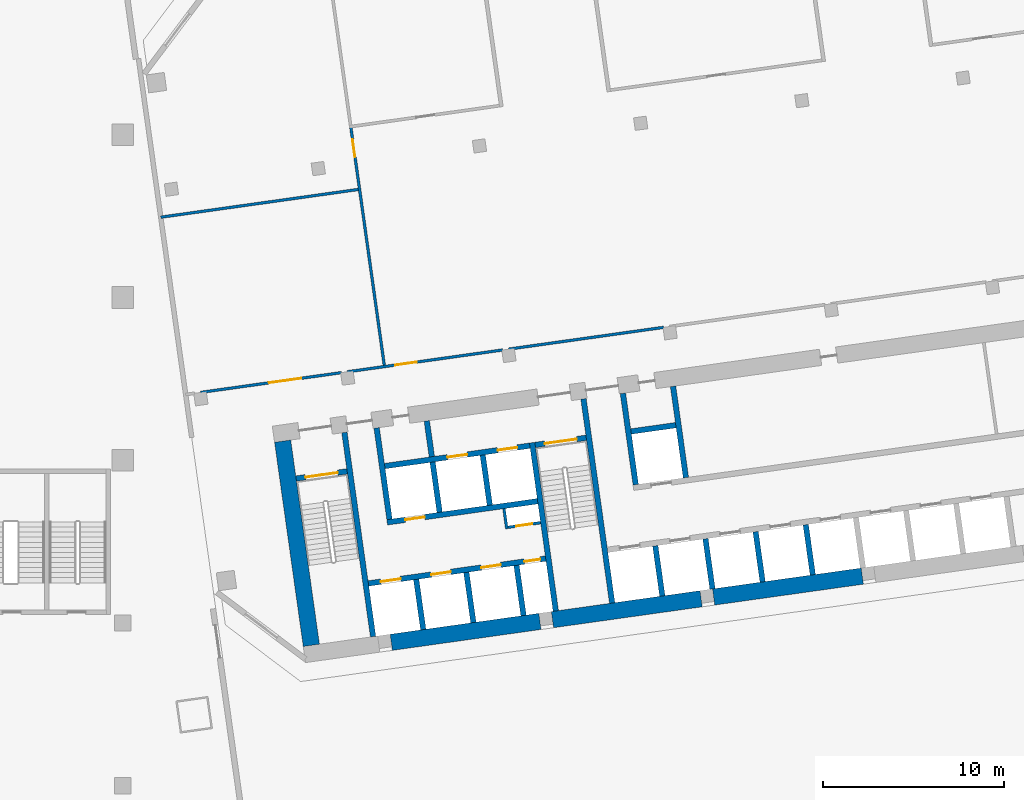
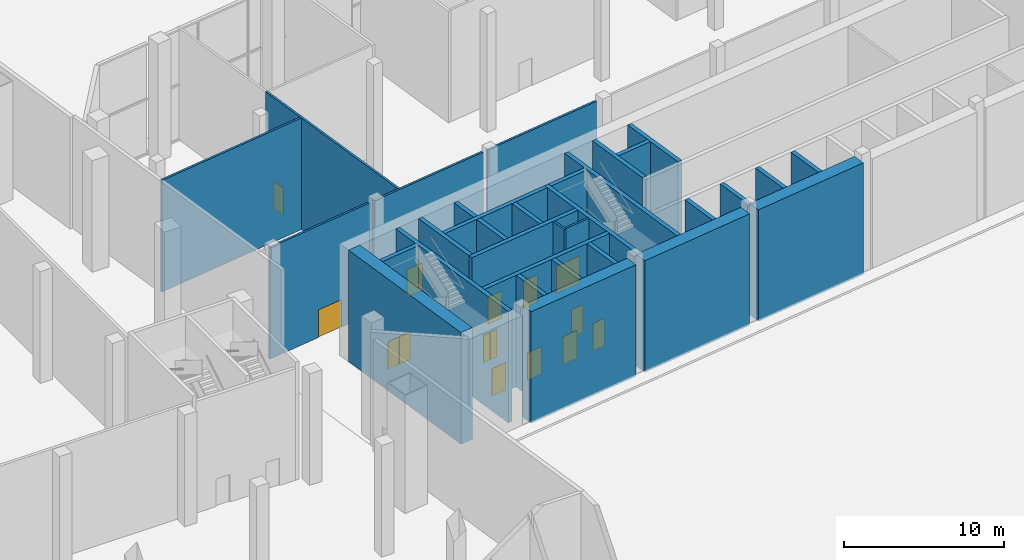
# One storey, part 24 of 34: 33 walls, 13 doors, 13 openings.
"""IFC4 building model written with IfcOpenShell, lengths in metres."""

from ifc_helpers import new_model, si_unit, direction, frame, frame_2d, origin, place, context, subcontext, project, spatial, rectangle, extrude, material, layer, layer_set, type_object, element, fill, save


model = new_model("IFC4")

# Units and contexts
model_context = context("Model", 3, precision=1e-05, world=origin(), true_north=direction((0.0, 1.0)))
body_context = subcontext(model_context, "Body", "Model", "MODEL_VIEW")
ifc_project = project(units=[si_unit("LENGTHUNIT", "METRE"), si_unit("AREAUNIT", "SQUARE_METRE"), si_unit("VOLUMEUNIT", "CUBIC_METRE"), si_unit("PLANEANGLEUNIT", "RADIAN"), si_unit("MASSUNIT", "GRAM", prefix="KILO")], contexts=[model_context])

# Site, building, storey
site_placement = place(None, origin())
site = spatial("IfcSite", under=ifc_project, at=site_placement, CompositionType="ELEMENT")
building_placement = place(site_placement, origin())
building = spatial("IfcBuilding", under=site, at=building_placement, Name="Mirante Cascada Hotel Towers", CompositionType="ELEMENT")
storey_placement = place(building_placement, origin())
storey = spatial("IfcBuildingStorey", under=building, at=storey_placement, Name="L00", CompositionType="ELEMENT", Elevation=0.0)

# Wall
ifc_material_1 = material(Name="Masonry block", Category="masonry")
ifc_layer_1 = layer(ifc_material_1, 0.15)
ifc_layer_set_1 = layer_set([ifc_layer_1], Name="Core room partition 150 block EI 30")
wall_type_1 = type_object("IfcWallType", Name="Core room partition 150 block EI 30", PredefinedType="PARTITIONING", material=ifc_layer_set_1)
wall_1_placement = place(storey_placement, frame((48.2295, -12.793, 0.0), z_axis=(0.0, 0.0, 1.0), x_axis=(-0.1391935, 0.9902652, 0.0)))
element("IfcWall", 1, at=wall_1_placement, inside=storey, type_object=wall_type_1, Name="Core wall partition T2 L00 2", PredefinedType="PARTITIONING", context=body_context, shape_type="SweptSolid", body=[
    extrude(rectangle(XDim=1.1251, YDim=0.15, at=frame_2d((0.5626, 0.0))), origin(), (0.0, 0.0, 1.0), 8.5),
])

# Wall, opening, door
wall_2_placement = place(storey_placement, frame((48.2933, -12.7083, 0.0), z_axis=(0.0, 0.0, 1.0), x_axis=(0.990268, 0.1391734, 0.0)))
wall_2 = element("IfcWall", 2, at=wall_2_placement, inside=storey, type_object=wall_type_1, Name="Core wall partition T2 L00 3", PredefinedType="PARTITIONING", context=body_context, shape_type="SweptSolid", body=[
    extrude(rectangle(XDim=1.8251, YDim=0.15, at=frame_2d((0.9126, 0.0))), origin(), (0.0, 0.0, 1.0), 8.5),
])
opening_1_placement = place(wall_2_placement, frame((0.4625, 0.0, 0.0)))
opening_1 = element("IfcOpeningElement", 3, at=opening_1_placement, cuts=wall_2, Name="Opening D2-00-C26", PredefinedType="OPENING", context=body_context, shape_type="SweptSolid", body=[
    extrude(rectangle(XDim=0.9, YDim=2.1, at=frame_2d((0.45, 1.05))), frame((0.0, 0.075, 0.0), z_axis=(0.0, -1.0, 0.0), x_axis=(1.0, 0.0, 0.0)), (0.0, 0.0, 1.0), 0.15),
])
ifc_material_2 = material(Name="Hollow metal fire door leaf")
door_type_1 = type_object("IfcDoorType", Name="Fire door 900x2100 FD60", OperationType="NOTDEFINED", PredefinedType="DOOR", material=ifc_material_2)
door_1_placement = place(opening_1_placement, frame((0.9, 0.0, 0.0), z_axis=(0.0, 0.0, 1.0), x_axis=(-1.0, 0.0, 0.0)))
door_1 = element("IfcDoor", 4, at=door_1_placement, inside=storey, type_object=door_type_1, Name="Riser door T2 L00 26", OperationType="SINGLE_SWING_LEFT", OverallHeight=2.1, OverallWidth=0.9, PredefinedType="DOOR", context=body_context, shape_type="SweptSolid", body=[
    extrude(rectangle(XDim=0.9, YDim=2.1, at=frame_2d((0.45, 1.05))), frame((0.0, 0.025, 0.0), z_axis=(0.0, -1.0, 0.0), x_axis=(1.0, 0.0, 0.0)), (0.0, 0.0, 1.0), 0.05),
])
fill(opening_1, door_1)

# Wall
ifc_material_3 = material(Name="Masonry block", Category="masonry")
ifc_layer_2 = layer(ifc_material_3, 0.3)
ifc_layer_set_2 = layer_set([ifc_layer_2], Name="Core wall 300 block EI 120")
wall_type_2 = type_object("IfcWallType", Name="Core wall 300 block EI 120", PredefinedType="PARTITIONING", material=ifc_layer_set_2)
wall_3_placement = place(storey_placement, frame((44.0843, -8.8061, 0.0), z_axis=(0.0, 0.0, 1.0), x_axis=(-0.1391951, 0.990265, 0.0)))
element("IfcWall", 5, at=wall_3_placement, inside=storey, type_object=wall_type_2, Name="Core wall partition T2 L00 1", PredefinedType="PARTITIONING", context=body_context, shape_type="SweptSolid", body=[
    extrude(rectangle(XDim=2.0001, YDim=0.3, at=frame_2d((1.0001, 0.0))), origin(), (0.0, 0.0, 1.0), 8.5),
])

# Wall, opening, door
ifc_material_4 = material(Name="Masonry block", Category="masonry")
ifc_layer_3 = layer(ifc_material_4, 0.15)
ifc_layer_set_3 = layer_set([ifc_layer_3], Name="Corridor wall 150 block")
wall_type_3 = type_object("IfcWallType", Name="Corridor wall 150 block", PredefinedType="PARTITIONING", material=ifc_layer_set_3)
wall_4_placement = place(storey_placement, frame((39.5898, 9.5218, 0.0), z_axis=(0.0, 0.0, 1.0), x_axis=(0.1391716, -0.9902683, 0.0)))
wall_4 = element("IfcWall", 6, at=wall_4_placement, inside=storey, type_object=wall_type_3, Name="Corridor wall T2 L00", PredefinedType="PARTITIONING", context=body_context, shape_type="SweptSolid", body=[
    extrude(rectangle(XDim=13.4, YDim=0.15, at=frame_2d((6.7, 0.0))), origin(), (0.0, 0.0, 1.0), 8.5),
])
opening_2_placement = place(wall_4_placement, frame((0.775, 0.0, 0.0)))
opening_2 = element("IfcOpeningElement", 7, at=opening_2_placement, cuts=wall_4, Name="Opening DP2-L00-04", PredefinedType="OPENING", context=body_context, shape_type="SweptSolid", body=[
    extrude(rectangle(XDim=1.0, YDim=2.1, at=frame_2d((0.5, 1.05))), frame((0.0, 0.075, 0.0), z_axis=(0.0, -1.0, 0.0), x_axis=(1.0, 0.0, 0.0)), (0.0, 0.0, 1.0), 0.15),
])
ifc_material_5 = material(Name="Timber door leaf", Category="wood")
door_type_2 = type_object("IfcDoorType", Name="Single door 1000x2100", OperationType="NOTDEFINED", PredefinedType="DOOR", material=ifc_material_5)
door_2_placement = place(opening_2_placement, frame((1.0, 0.0, 0.0), z_axis=(0.0, 0.0, 1.0), x_axis=(-1.0, 0.0, 0.0)))
door_2 = element("IfcDoor", 8, at=door_2_placement, inside=storey, type_object=door_type_2, Name="Door DP2-L00-04", OperationType="SINGLE_SWING_RIGHT", OverallHeight=2.1, OverallWidth=1.0, PredefinedType="DOOR", context=body_context, shape_type="SweptSolid", body=[
    extrude(rectangle(XDim=1.0, YDim=2.1, at=frame_2d((0.5, 1.05))), frame((0.0, 0.025, 0.0), z_axis=(0.0, -1.0, 0.0), x_axis=(1.0, 0.0, 0.0)), (0.0, 0.0, 1.0), 0.05),
])
fill(opening_2, door_2)

ifc_material_6 = material(Name="Masonry block", Category="masonry")
ifc_layer_4 = layer(ifc_material_6, 0.15)
ifc_layer_set_4 = layer_set([ifc_layer_4], Name="Exit passage wall 150 block EI 120")
wall_type_4 = type_object("IfcWallType", Name="Exit passage wall 150 block EI 120", PredefinedType="PARTITIONING", material=ifc_layer_set_4)
wall_5_placement = place(storey_placement, frame((31.2896, -5.2522, 0.0), z_axis=(0.0, 0.0, 1.0), x_axis=(0.9902676, 0.1391764, 0.0)))
wall_5 = element("IfcWall", 9, at=wall_5_placement, inside=storey, type_object=wall_type_4, Name="Exit passage wall T2 L00", PredefinedType="PARTITIONING", context=body_context, shape_type="SweptSolid", body=[
    extrude(rectangle(XDim=7.8713, YDim=0.15, at=frame_2d((3.9356, 0.0))), origin(), (0.0, 0.0, 1.0), 8.5),
])
opening_3_placement = place(wall_5_placement, frame((3.8255, 0.0, 0.0)))
opening_3 = element("IfcOpeningElement", 10, at=opening_3_placement, cuts=wall_5, Name="Opening DP2-L00-03", PredefinedType="OPENING", context=body_context, shape_type="SweptSolid", body=[
    extrude(rectangle(XDim=1.8, YDim=2.1, at=frame_2d((0.9, 1.05))), frame((0.0, 0.075, 0.0), z_axis=(0.0, -1.0, 0.0), x_axis=(1.0, 0.0, 0.0)), (0.0, 0.0, 1.0), 0.15),
])
ifc_material_7 = material(Name="Hollow metal fire door leaf")
door_type_3 = type_object("IfcDoorType", Name="Double door 1800x2100 FD60", OperationType="DOUBLE_DOOR_SINGLE_SWING", PredefinedType="DOOR", material=ifc_material_7)
door_3_placement = place(opening_3_placement, origin())
door_3 = element("IfcDoor", 11, at=door_3_placement, inside=storey, type_object=door_type_3, Name="Door DP2-L00-03", OperationType="DOUBLE_DOOR_SINGLE_SWING", OverallHeight=2.1, OverallWidth=1.8, PredefinedType="DOOR", context=body_context, shape_type="SweptSolid", body=[
    extrude(rectangle(XDim=0.895, YDim=2.1, at=frame_2d((0.4475, 1.05))), frame((0.0, 0.025, 0.0), z_axis=(0.0, -1.0, 0.0), x_axis=(1.0, 0.0, 0.0)), (0.0, 0.0, 1.0), 0.05),
    extrude(rectangle(XDim=0.895, YDim=2.1, at=frame_2d((1.3525, 1.05))), frame((0.0, 0.025, 0.0), z_axis=(0.0, -1.0, 0.0), x_axis=(1.0, 0.0, 0.0)), (0.0, 0.0, 1.0), 0.05),
])
fill(opening_3, door_3)

wall_6_placement = place(storey_placement, frame((39.4099, -4.1109, 0.0), z_axis=(0.0, 0.0, 1.0), x_axis=(0.990268, 0.1391735, 0.0)))
wall_6 = element("IfcWall", 12, at=wall_6_placement, inside=storey, type_object=wall_type_4, Name="Exit passage wall T2 L00", PredefinedType="PARTITIONING", context=body_context, shape_type="SweptSolid", body=[
    extrude(rectangle(XDim=8.6712, YDim=0.15, at=frame_2d((4.3356, 0.0))), origin(), (0.0, 0.0, 1.0), 8.5),
])
opening_4_placement = place(wall_6_placement, frame((2.6755, 0.0, 0.0)))
opening_4 = element("IfcOpeningElement", 13, at=opening_4_placement, cuts=wall_6, Name="Opening DP2-L00-01", PredefinedType="OPENING", context=body_context, shape_type="SweptSolid", body=[
    extrude(rectangle(XDim=1.2, YDim=2.1, at=frame_2d((0.6, 1.05))), frame((0.0, 0.075, 0.0), z_axis=(0.0, -1.0, 0.0), x_axis=(1.0, 0.0, 0.0)), (0.0, 0.0, 1.0), 0.15),
])
ifc_material_8 = material(Name="Hollow metal fire door leaf")
door_type_4 = type_object("IfcDoorType", Name="Fire door 1200x2100 FD60", OperationType="NOTDEFINED", PredefinedType="DOOR", material=ifc_material_8)
door_4_placement = place(opening_4_placement, frame((1.2, 0.0, 0.0), z_axis=(0.0, 0.0, 1.0), x_axis=(-1.0, 0.0, 0.0)))
door_4 = element("IfcDoor", 14, at=door_4_placement, inside=storey, type_object=door_type_4, Name="Door DP2-L00-01", OperationType="SINGLE_SWING_LEFT", OverallHeight=2.1, OverallWidth=1.2, PredefinedType="DOOR", context=body_context, shape_type="SweptSolid", body=[
    extrude(rectangle(XDim=1.2, YDim=2.1, at=frame_2d((0.6, 1.05))), frame((0.0, 0.025, 0.0), z_axis=(0.0, -1.0, 0.0), x_axis=(1.0, 0.0, 0.0)), (0.0, 0.0, 1.0), 0.05),
])
fill(opening_4, door_4)

# Walls
wall_7_placement = place(storey_placement, frame((48.3223, -2.8584, 0.0), z_axis=(0.0, 0.0, 1.0), x_axis=(0.990268, 0.1391735, 0.0)))
element("IfcWall", 15, at=wall_7_placement, inside=storey, type_object=wall_type_4, Name="Exit passage wall T2 L00", PredefinedType="PARTITIONING", context=body_context, shape_type="SweptSolid", body=[
    extrude(rectangle(XDim=8.6712, YDim=0.15, at=frame_2d((4.3356, 0.0))), origin(), (0.0, 0.0, 1.0), 8.5),
])
ifc_material_9 = material(Name="Masonry block", Category="masonry")
ifc_layer_5 = layer(ifc_material_9, 0.15)
ifc_layer_set_5 = layer_set([ifc_layer_5], Name="Partition 150 block")
wall_type_5 = type_object("IfcWallType", Name="Partition 150 block", PredefinedType="PARTITIONING", material=ifc_layer_set_5)
wall_8_placement = place(storey_placement, frame((29.0954, 4.4367, 0.0), z_axis=(0.0, 0.0, 1.0), x_axis=(0.9902679, 0.1391746, 0.0)))
element("IfcWall", 16, at=wall_8_placement, inside=storey, type_object=wall_type_5, Name="Partition T2 L00", PredefinedType="PARTITIONING", context=body_context, shape_type="SweptSolid", body=[
    extrude(rectangle(XDim=11.025, YDim=0.15, at=frame_2d((5.5125, 0.0))), origin(), (0.0, 0.0, 1.0), 8.5),
])
ifc_material_10 = material(Name="Concrete C50/60", Category="concrete")
ifc_layer_6 = layer(ifc_material_10, 0.3)
ifc_layer_set_6 = layer_set([ifc_layer_6], Name="RC core wall 300 C50/60")
wall_type_6 = type_object("IfcWallType", Name="RC core wall 300 C50/60", PredefinedType="SHEAR", material=ifc_layer_set_6)
wall_9_placement = place(storey_placement, frame((40.8373, -18.7548, 0.0), z_axis=(0.0, 0.0, 1.0), x_axis=(-0.1391749, 0.9902678, 0.0)))
element("IfcWall", 17, at=wall_9_placement, inside=storey, type_object=wall_type_6, Name="Core wall T2:L00:5", PredefinedType="SHEAR", context=body_context, shape_type="SweptSolid", body=[
    extrude(rectangle(XDim=11.4, YDim=0.3, at=frame_2d((5.7, 0.0))), origin(), (0.0, 0.0, 1.0), 8.5),
])
wall_10_placement = place(storey_placement, frame((50.938, -17.3352, 0.0), z_axis=(0.0, 0.0, 1.0), x_axis=(-0.1391706, 0.9902684, 0.0)))
element("IfcWall", 18, at=wall_10_placement, inside=storey, type_object=wall_type_6, Name="Core wall T2:L00:6", PredefinedType="SHEAR", context=body_context, shape_type="SweptSolid", body=[
    extrude(rectangle(XDim=9.4, YDim=0.3, at=frame_2d((4.7, 0.0))), origin(), (0.0, 0.0, 1.0), 8.5),
])
wall_11_placement = place(storey_placement, frame((54.0574, -16.8968, 0.0), z_axis=(0.0, 0.0, 1.0), x_axis=(-0.1391761, 0.9902677, 0.0)))
element("IfcWall", 19, at=wall_11_placement, inside=storey, type_object=wall_type_6, Name="Core wall T2:L00:7", PredefinedType="SHEAR", context=body_context, shape_type="SweptSolid", body=[
    extrude(rectangle(XDim=11.3999, YDim=0.3, at=frame_2d((5.7, 0.0))), origin(), (0.0, 0.0, 1.0), 8.5),
])

# Wall, opening, door
wall_12_placement = place(storey_placement, frame((36.5791, -10.0123, 0.0), z_axis=(0.0, 0.0, 1.0), x_axis=(0.9902704, 0.1391564, 0.0)))
wall_12 = element("IfcWall", 20, at=wall_12_placement, inside=storey, type_object=wall_type_6, Name="Core wall T2:L00:9", PredefinedType="SHEAR", context=body_context, shape_type="SweptSolid", body=[
    extrude(rectangle(XDim=2.85, YDim=0.3, at=frame_2d((1.425, 0.0))), origin(), (0.0, 0.0, 1.0), 8.5),
])
opening_5_placement = place(wall_12_placement, frame((0.525, 0.0, 0.0)))
opening_5 = element("IfcOpeningElement", 21, at=opening_5_placement, cuts=wall_12, Name="Opening D2-00-C16", PredefinedType="OPENING", context=body_context, shape_type="SweptSolid", body=[
    extrude(rectangle(XDim=1.8, YDim=2.1, at=frame_2d((0.9, 1.05))), frame((0.0, 0.15, 0.0), z_axis=(0.0, -1.0, 0.0), x_axis=(1.0, 0.0, 0.0)), (0.0, 0.0, 1.0), 0.3),
])
ifc_material_11 = material(Name="Hollow metal fire door leaf")
door_type_5 = type_object("IfcDoorType", Name="Double fire door 1800x2100 FD60", OperationType="DOUBLE_DOOR_SINGLE_SWING", PredefinedType="DOOR", material=ifc_material_11)
door_5_placement = place(opening_5_placement, frame((1.8, 0.0, 0.0), z_axis=(0.0, 0.0, 1.0), x_axis=(-1.0, 0.0, 0.0)))
door_5 = element("IfcDoor", 22, at=door_5_placement, inside=storey, type_object=door_type_5, Name="Stair door T2 L00 16", OperationType="DOUBLE_DOOR_SINGLE_SWING", OverallHeight=2.1, OverallWidth=1.8, PredefinedType="DOOR", context=body_context, shape_type="SweptSolid", body=[
    extrude(rectangle(XDim=0.895, YDim=2.1, at=frame_2d((0.4475, 1.05))), frame((0.0, 0.025, 0.0), z_axis=(0.0, -1.0, 0.0), x_axis=(1.0, 0.0, 0.0)), (0.0, 0.0, 1.0), 0.05),
    extrude(rectangle(XDim=0.895, YDim=2.1, at=frame_2d((1.3525, 1.05))), frame((0.0, 0.025, 0.0), z_axis=(0.0, -1.0, 0.0), x_axis=(1.0, 0.0, 0.0)), (0.0, 0.0, 1.0), 0.05),
])
fill(opening_5, door_5)

wall_13_placement = place(storey_placement, frame((49.7992, -8.1544, 0.0), z_axis=(0.0, 0.0, 1.0), x_axis=(0.9902656, 0.1391909, 0.0)))
wall_13 = element("IfcWall", 23, at=wall_13_placement, inside=storey, type_object=wall_type_6, Name="Core wall T2:L00:10", PredefinedType="SHEAR", context=body_context, shape_type="SweptSolid", body=[
    extrude(rectangle(XDim=2.85, YDim=0.3, at=frame_2d((1.425, 0.0))), origin(), (0.0, 0.0, 1.0), 8.5),
])
opening_6_placement = place(wall_13_placement, frame((0.525, 0.0, 0.0)))
opening_6 = element("IfcOpeningElement", 24, at=opening_6_placement, cuts=wall_13, Name="Opening D2-00-C18", PredefinedType="OPENING", context=body_context, shape_type="SweptSolid", body=[
    extrude(rectangle(XDim=1.8, YDim=2.1, at=frame_2d((0.9, 1.05))), frame((0.0, 0.15, 0.0), z_axis=(0.0, -1.0, 0.0), x_axis=(1.0, 0.0, 0.0)), (0.0, 0.0, 1.0), 0.3),
])
door_6_placement = place(opening_6_placement, frame((1.8, 0.0, 0.0), z_axis=(0.0, 0.0, 1.0), x_axis=(-1.0, 0.0, 0.0)))
door_6 = element("IfcDoor", 25, at=door_6_placement, inside=storey, type_object=door_type_5, Name="Stair door T2 L00 18", OperationType="DOUBLE_DOOR_SINGLE_SWING", OverallHeight=2.1, OverallWidth=1.8, PredefinedType="DOOR", context=body_context, shape_type="SweptSolid", body=[
    extrude(rectangle(XDim=0.895, YDim=2.1, at=frame_2d((0.4475, 1.05))), frame((0.0, 0.025, 0.0), z_axis=(0.0, -1.0, 0.0), x_axis=(1.0, 0.0, 0.0)), (0.0, 0.0, 1.0), 0.05),
    extrude(rectangle(XDim=0.895, YDim=2.1, at=frame_2d((1.3525, 1.05))), frame((0.0, 0.025, 0.0), z_axis=(0.0, -1.0, 0.0), x_axis=(1.0, 0.0, 0.0)), (0.0, 0.0, 1.0), 0.05),
])
fill(opening_6, door_6)

# Wall, openings, doors
wall_14_placement = place(storey_placement, frame((40.5753, -15.8126, 0.0), z_axis=(0.0, 0.0, 1.0), x_axis=(0.9902682, 0.1391725, 0.0)))
wall_14 = element("IfcWall", 26, at=wall_14_placement, inside=storey, type_object=wall_type_6, Name="Core wall T2:L00:12", PredefinedType="SHEAR", context=body_context, shape_type="SweptSolid", body=[
    extrude(rectangle(XDim=9.8999, YDim=0.3, at=frame_2d((4.95, 0.0))), origin(), (0.0, 0.0, 1.0), 8.5),
])
opening_7_placement = place(wall_14_placement, frame((0.7, 0.0, 0.0)))
opening_7 = element("IfcOpeningElement", 27, at=opening_7_placement, cuts=wall_14, Name="Opening LD", PredefinedType="OPENING", context=body_context, shape_type="SweptSolid", body=[
    extrude(rectangle(XDim=1.1, YDim=2.1, at=frame_2d((0.55, 1.05))), frame((0.0, 0.15, 0.0), z_axis=(0.0, -1.0, 0.0), x_axis=(1.0, 0.0, 0.0)), (0.0, 0.0, 1.0), 0.3),
])
opening_8_placement = place(wall_14_placement, frame((3.5, 0.0, 0.0)))
opening_8 = element("IfcOpeningElement", 28, at=opening_8_placement, cuts=wall_14, Name="Opening LD", PredefinedType="OPENING", context=body_context, shape_type="SweptSolid", body=[
    extrude(rectangle(XDim=1.1, YDim=2.1, at=frame_2d((0.55, 1.05))), frame((0.0, 0.15, 0.0), z_axis=(0.0, -1.0, 0.0), x_axis=(1.0, 0.0, 0.0)), (0.0, 0.0, 1.0), 0.3),
])
opening_9_placement = place(wall_14_placement, frame((6.3, 0.0, 0.0)))
opening_9 = element("IfcOpeningElement", 29, at=opening_9_placement, cuts=wall_14, Name="Opening LD", PredefinedType="OPENING", context=body_context, shape_type="SweptSolid", body=[
    extrude(rectangle(XDim=1.1, YDim=2.1, at=frame_2d((0.55, 1.05))), frame((0.0, 0.15, 0.0), z_axis=(0.0, -1.0, 0.0), x_axis=(1.0, 0.0, 0.0)), (0.0, 0.0, 1.0), 0.3),
])
opening_10_placement = place(wall_14_placement, frame((8.7, 0.0, 0.0)))
opening_10 = element("IfcOpeningElement", 30, at=opening_10_placement, cuts=wall_14, Name="Opening D2-00-C25", PredefinedType="OPENING", context=body_context, shape_type="SweptSolid", body=[
    extrude(rectangle(XDim=0.9, YDim=2.1, at=frame_2d((0.45, 1.05))), frame((0.0, 0.15, 0.0), z_axis=(0.0, -1.0, 0.0), x_axis=(1.0, 0.0, 0.0)), (0.0, 0.0, 1.0), 0.3),
])
door_7_placement = place(opening_10_placement, frame((0.9, 0.0, 0.0), z_axis=(0.0, 0.0, 1.0), x_axis=(-1.0, 0.0, 0.0)))
door_7 = element("IfcDoor", 31, at=door_7_placement, inside=storey, type_object=door_type_1, Name="Riser door T2 L00 25", OperationType="SINGLE_SWING_RIGHT", OverallHeight=2.1, OverallWidth=0.9, PredefinedType="DOOR", context=body_context, shape_type="SweptSolid", body=[
    extrude(rectangle(XDim=0.9, YDim=2.1, at=frame_2d((0.45, 1.05))), frame((0.0, 0.025, 0.0), z_axis=(0.0, -1.0, 0.0), x_axis=(1.0, 0.0, 0.0)), (0.0, 0.0, 1.0), 0.05),
])
fill(opening_10, door_7)
ifc_material_12 = material(Name="Stainless steel", Category="steel")
door_type_6 = type_object("IfcDoorType", Name="Lift landing door 1100x2100 EI 120", OperationType="DOUBLE_DOOR_SLIDING", PredefinedType="DOOR", material=ifc_material_12)
door_8_placement = place(opening_7_placement, origin())
door_8 = element("IfcDoor", 32, at=door_8_placement, inside=storey, type_object=door_type_6, Name="Lift landing door HR2-1 L00", OperationType="DOUBLE_DOOR_SLIDING", OverallHeight=2.1, OverallWidth=1.1, PredefinedType="DOOR", context=body_context, shape_type="SweptSolid", body=[
    extrude(rectangle(XDim=0.545, YDim=2.1, at=frame_2d((0.2725, 1.05))), frame((0.0, 0.025, 0.0), z_axis=(0.0, -1.0, 0.0), x_axis=(1.0, 0.0, 0.0)), (0.0, 0.0, 1.0), 0.05),
    extrude(rectangle(XDim=0.545, YDim=2.1, at=frame_2d((0.8275, 1.05))), frame((0.0, 0.025, 0.0), z_axis=(0.0, -1.0, 0.0), x_axis=(1.0, 0.0, 0.0)), (0.0, 0.0, 1.0), 0.05),
])
fill(opening_7, door_8)
door_9_placement = place(opening_8_placement, origin())
door_9 = element("IfcDoor", 33, at=door_9_placement, inside=storey, type_object=door_type_6, Name="Lift landing door HR2-2 L00", OperationType="DOUBLE_DOOR_SLIDING", OverallHeight=2.1, OverallWidth=1.1, PredefinedType="DOOR", context=body_context, shape_type="SweptSolid", body=[
    extrude(rectangle(XDim=0.545, YDim=2.1, at=frame_2d((0.2725, 1.05))), frame((0.0, 0.025, 0.0), z_axis=(0.0, -1.0, 0.0), x_axis=(1.0, 0.0, 0.0)), (0.0, 0.0, 1.0), 0.05),
    extrude(rectangle(XDim=0.545, YDim=2.1, at=frame_2d((0.8275, 1.05))), frame((0.0, 0.025, 0.0), z_axis=(0.0, -1.0, 0.0), x_axis=(1.0, 0.0, 0.0)), (0.0, 0.0, 1.0), 0.05),
])
fill(opening_8, door_9)
door_10_placement = place(opening_9_placement, origin())
door_10 = element("IfcDoor", 34, at=door_10_placement, inside=storey, type_object=door_type_6, Name="Lift landing door HR2-3 L00", OperationType="DOUBLE_DOOR_SLIDING", OverallHeight=2.1, OverallWidth=1.1, PredefinedType="DOOR", context=body_context, shape_type="SweptSolid", body=[
    extrude(rectangle(XDim=0.545, YDim=2.1, at=frame_2d((0.2725, 1.05))), frame((0.0, 0.025, 0.0), z_axis=(0.0, -1.0, 0.0), x_axis=(1.0, 0.0, 0.0)), (0.0, 0.0, 1.0), 0.05),
    extrude(rectangle(XDim=0.545, YDim=2.1, at=frame_2d((0.8275, 1.05))), frame((0.0, 0.025, 0.0), z_axis=(0.0, -1.0, 0.0), x_axis=(1.0, 0.0, 0.0)), (0.0, 0.0, 1.0), 0.05),
])
fill(opening_9, door_10)

# Wall, opening, door
wall_15_placement = place(storey_placement, frame((41.6153, -12.435, 0.0), z_axis=(0.0, 0.0, 1.0), x_axis=(0.9902691, 0.139166, 0.0)))
wall_15 = element("IfcWall", 35, at=wall_15_placement, inside=storey, type_object=wall_type_6, Name="Core wall T2:L00:13", PredefinedType="SHEAR", context=body_context, shape_type="SweptSolid", body=[
    extrude(rectangle(XDim=8.4, YDim=0.3, at=frame_2d((4.2, 0.0))), origin(), (0.0, 0.0, 1.0), 8.5),
])
opening_11_placement = place(wall_15_placement, frame((1.0, 0.0, 0.0)))
opening_11 = element("IfcOpeningElement", 36, at=opening_11_placement, cuts=wall_15, Name="Opening LD", PredefinedType="OPENING", context=body_context, shape_type="SweptSolid", body=[
    extrude(rectangle(XDim=1.1, YDim=2.1, at=frame_2d((0.55, 1.05))), frame((0.0, 0.15, 0.0), z_axis=(0.0, -1.0, 0.0), x_axis=(1.0, 0.0, 0.0)), (0.0, 0.0, 1.0), 0.3),
])
door_11_placement = place(opening_11_placement, origin())
door_11 = element("IfcDoor", 37, at=door_11_placement, inside=storey, type_object=door_type_6, Name="Lift landing door HR2-4 L00", OperationType="DOUBLE_DOOR_SLIDING", OverallHeight=2.1, OverallWidth=1.1, PredefinedType="DOOR", context=body_context, shape_type="SweptSolid", body=[
    extrude(rectangle(XDim=0.545, YDim=2.1, at=frame_2d((0.2725, 1.05))), frame((0.0, 0.025, 0.0), z_axis=(0.0, -1.0, 0.0), x_axis=(1.0, 0.0, 0.0)), (0.0, 0.0, 1.0), 0.05),
    extrude(rectangle(XDim=0.545, YDim=2.1, at=frame_2d((0.8275, 1.05))), frame((0.0, 0.025, 0.0), z_axis=(0.0, -1.0, 0.0), x_axis=(1.0, 0.0, 0.0)), (0.0, 0.0, 1.0), 0.05),
])
fill(opening_11, door_11)

# Wall, openings, doors
wall_16_placement = place(storey_placement, frame((41.481, -9.3234, 0.0), z_axis=(0.0, 0.0, 1.0), x_axis=(0.9902679, 0.1391741, 0.0)))
wall_16 = element("IfcWall", 38, at=wall_16_placement, inside=storey, type_object=wall_type_6, Name="Core wall T2:L00:14", PredefinedType="SHEAR", context=body_context, shape_type="SweptSolid", body=[
    extrude(rectangle(XDim=8.0999, YDim=0.3, at=frame_2d((4.05, 0.0))), origin(), (0.0, 0.0, 1.0), 8.5),
])
opening_12_placement = place(wall_16_placement, frame((3.5, 0.0, 0.0)))
opening_12 = element("IfcOpeningElement", 39, at=opening_12_placement, cuts=wall_16, Name="Opening LD", PredefinedType="OPENING", context=body_context, shape_type="SweptSolid", body=[
    extrude(rectangle(XDim=1.1, YDim=2.1, at=frame_2d((0.55, 1.05))), frame((0.0, 0.15, 0.0), z_axis=(0.0, -1.0, 0.0), x_axis=(1.0, 0.0, 0.0)), (0.0, 0.0, 1.0), 0.3),
])
opening_13_placement = place(wall_16_placement, frame((6.3, 0.0, 0.0)))
opening_13 = element("IfcOpeningElement", 40, at=opening_13_placement, cuts=wall_16, Name="Opening LD", PredefinedType="OPENING", context=body_context, shape_type="SweptSolid", body=[
    extrude(rectangle(XDim=1.1, YDim=2.1, at=frame_2d((0.55, 1.05))), frame((0.0, 0.15, 0.0), z_axis=(0.0, -1.0, 0.0), x_axis=(1.0, 0.0, 0.0)), (0.0, 0.0, 1.0), 0.3),
])
door_12_placement = place(opening_12_placement, origin())
door_12 = element("IfcDoor", 41, at=door_12_placement, inside=storey, type_object=door_type_6, Name="Lift landing door FF3 L00", OperationType="DOUBLE_DOOR_SLIDING", OverallHeight=2.1, OverallWidth=1.1, PredefinedType="DOOR", context=body_context, shape_type="SweptSolid", body=[
    extrude(rectangle(XDim=0.545, YDim=2.1, at=frame_2d((0.2725, 1.05))), frame((0.0, 0.025, 0.0), z_axis=(0.0, -1.0, 0.0), x_axis=(1.0, 0.0, 0.0)), (0.0, 0.0, 1.0), 0.05),
    extrude(rectangle(XDim=0.545, YDim=2.1, at=frame_2d((0.8275, 1.05))), frame((0.0, 0.025, 0.0), z_axis=(0.0, -1.0, 0.0), x_axis=(1.0, 0.0, 0.0)), (0.0, 0.0, 1.0), 0.05),
])
fill(opening_12, door_12)
door_13_placement = place(opening_13_placement, origin())
door_13 = element("IfcDoor", 42, at=door_13_placement, inside=storey, type_object=door_type_6, Name="Lift landing door FF4 L00", OperationType="DOUBLE_DOOR_SLIDING", OverallHeight=2.1, OverallWidth=1.1, PredefinedType="DOOR", context=body_context, shape_type="SweptSolid", body=[
    extrude(rectangle(XDim=0.545, YDim=2.1, at=frame_2d((0.2725, 1.05))), frame((0.0, 0.025, 0.0), z_axis=(0.0, -1.0, 0.0), x_axis=(1.0, 0.0, 0.0)), (0.0, 0.0, 1.0), 0.05),
    extrude(rectangle(XDim=0.545, YDim=2.1, at=frame_2d((0.8275, 1.05))), frame((0.0, 0.025, 0.0), z_axis=(0.0, -1.0, 0.0), x_axis=(1.0, 0.0, 0.0)), (0.0, 0.0, 1.0), 0.05),
])
fill(opening_13, door_13)

# Walls
wall_17_placement = place(storey_placement, frame((43.61, -18.3651, 0.0), z_axis=(0.0, 0.0, 1.0), x_axis=(-0.1391459, 0.9902719, 0.0)))
element("IfcWall", 43, at=wall_17_placement, inside=storey, type_object=wall_type_6, Name="Core wall T2:L00:15", PredefinedType="SHEAR", context=body_context, shape_type="SweptSolid", body=[
    extrude(rectangle(XDim=2.7999, YDim=0.3, at=frame_2d((1.4, 0.0))), origin(), (0.0, 0.0, 1.0), 8.5),
])
wall_18_placement = place(storey_placement, frame((46.3828, -17.9754, 0.0), z_axis=(0.0, 0.0, 1.0), x_axis=(-0.139181, 0.990267, 0.0)))
element("IfcWall", 44, at=wall_18_placement, inside=storey, type_object=wall_type_6, Name="Core wall T2:L00:16", PredefinedType="SHEAR", context=body_context, shape_type="SweptSolid", body=[
    extrude(rectangle(XDim=2.8, YDim=0.3, at=frame_2d((1.4, 0.0))), origin(), (0.0, 0.0, 1.0), 8.5),
])
wall_19_placement = place(storey_placement, frame((49.1555, -17.5857, 0.0), z_axis=(0.0, 0.0, 1.0), x_axis=(-0.1391459, 0.9902719, 0.0)))
element("IfcWall", 45, at=wall_19_placement, inside=storey, type_object=wall_type_6, Name="Core wall T2:L00:17", PredefinedType="SHEAR", context=body_context, shape_type="SweptSolid", body=[
    extrude(rectangle(XDim=2.7999, YDim=0.3, at=frame_2d((1.4, 0.0))), origin(), (0.0, 0.0, 1.0), 8.5),
])
for number, where, z_axis, x_axis, name in (
    (46, (44.5157, -11.8759, 0.0), (0.0, 0.0, 1.0), (-0.139181, 0.990267, 0.0), "Core wall T2:L00:18"),
    (47, (47.2885, -11.4862, 0.0), (0.0, 0.0, 1.0), (-0.139181, 0.990267, 0.0), "Core wall T2:L00:19"),
):
    element("IfcWall", number, at=place(storey_placement, frame(where, z_axis=z_axis, x_axis=x_axis)), inside=storey, type_object=wall_type_6, Name=name, PredefinedType="SHEAR", context=body_context, shape_type="SweptSolid", body=[
        extrude(rectangle(XDim=2.8, YDim=0.3, at=frame_2d((1.4, 0.0))), origin(), (0.0, 0.0, 1.0), 8.5),
    ])
wall_20_placement = place(storey_placement, frame((41.743, -12.2656, 0.0), z_axis=(0.0, 0.0, 1.0), x_axis=(-0.1391755, 0.9902677, 0.0)))
element("IfcWall", 48, at=wall_20_placement, inside=storey, type_object=wall_type_6, Name="Core wall T2:L00:20", PredefinedType="SHEAR", context=body_context, shape_type="SweptSolid", body=[
    extrude(rectangle(XDim=5.1, YDim=0.3, at=frame_2d((2.55, 0.0))), origin(), (0.0, 0.0, 1.0), 8.5),
])
for number, where, z_axis, x_axis, name in (
    (49, (56.8301, -16.5072, 0.0), (0.0, 0.0, 1.0), (-0.139176, 0.9902677, 0.0), "Core wall T2:L00:25"),
    (50, (59.6029, -16.1175, 0.0), (0.0, 0.0, 1.0), (-0.139176, 0.9902677, 0.0), "Core wall T2:L00:26"),
    (51, (62.3756, -15.7278, 0.0), (0.0, 0.0, 1.0), (-0.139176, 0.9902677, 0.0), "Core wall T2:L00:27"),
    (52, (65.1484, -15.3381, 0.0), (0.0, 0.0, 1.0), (-0.139176, 0.9902677, 0.0), "Core wall T2:L00:28"),
):
    element("IfcWall", number, at=place(storey_placement, frame(where, z_axis=z_axis, x_axis=x_axis)), inside=storey, type_object=wall_type_6, Name=name, PredefinedType="SHEAR", context=body_context, shape_type="SweptSolid", body=[
        extrude(rectangle(XDim=2.8001, YDim=0.3, at=frame_2d((1.4, 0.0))), origin(), (0.0, 0.0, 1.0), 8.5),
    ])
for number, where, z_axis, x_axis, name in (
    (53, (55.3592, -10.352, 0.0), (0.0, 0.0, 1.0), (-0.1391755, 0.9902677, 0.0), "Core wall T2:L00:35"),
    (54, (58.1319, -9.9623, 0.0), (0.0, 0.0, 1.0), (-0.1391755, 0.9902677, 0.0), "Core wall T2:L00:37"),
):
    element("IfcWall", number, at=place(storey_placement, frame(where, z_axis=z_axis, x_axis=x_axis)), inside=storey, type_object=wall_type_6, Name=name, PredefinedType="SHEAR", context=body_context, shape_type="SweptSolid", body=[
        extrude(rectangle(XDim=5.1, YDim=0.3, at=frame_2d((2.55, 0.0))), origin(), (0.0, 0.0, 1.0), 8.5),
    ])
wall_21_placement = place(storey_placement, frame((55.0971, -7.4098, 0.0), z_axis=(0.0, 0.0, 1.0), x_axis=(0.9902701, 0.1391586, 0.0)))
element("IfcWall", 55, at=wall_21_placement, inside=storey, type_object=wall_type_6, Name="Core wall T2:L00:38", PredefinedType="SHEAR", context=body_context, shape_type="SweptSolid", body=[
    extrude(rectangle(XDim=2.5, YDim=0.3, at=frame_2d((1.25, 0.0))), origin(), (0.0, 0.0, 1.0), 8.5),
])
ifc_material_13 = material(Name="Concrete C50/60", Category="concrete")
ifc_layer_7 = layer(ifc_material_13, 0.9)
ifc_layer_set_7 = layer_set([ifc_layer_7], Name="RC core wall 900 C50/60")
wall_type_7 = type_object("IfcWallType", Name="RC core wall 900 C50/60", PredefinedType="SHEAR", material=ifc_layer_set_7)
for number, where, z_axis, x_axis, name in (
    (56, (41.8407, -19.0682, 0.0), (0.0, 0.0, 1.0), (0.9902686, 0.1391692, 0.0), "Core wall T2:L00:1.2"),
    (57, (50.7531, -17.8156, 0.0), (0.0, 0.0, 1.0), (0.9902686, 0.1391692, 0.0), "Core wall T2:L00:1.3"),
    (58, (59.6655, -16.5631, 0.0), (0.0, 0.0, 1.0), (0.9902686, 0.1391692, 0.0), "Core wall T2:L00:1.4"),
):
    element("IfcWall", number, at=place(storey_placement, frame(where, z_axis=z_axis, x_axis=x_axis)), inside=storey, type_object=wall_type_7, Name=name, PredefinedType="SHEAR", context=body_context, shape_type="SweptSolid", body=[
        extrude(rectangle(XDim=8.3, YDim=0.9, at=frame_2d((4.15, 0.0))), origin(), (0.0, 0.0, 1.0), 8.5),
    ])
wall_22_placement = place(storey_placement, frame((37.4209, -19.2349, 0.0), z_axis=(0.0, 0.0, 1.0), x_axis=(-0.1391761, 0.9902677, 0.0)))
element("IfcWall", 59, at=wall_22_placement, inside=storey, type_object=wall_type_7, Name="Core wall T2:L00:3", PredefinedType="SHEAR", context=body_context, shape_type="SweptSolid", body=[
    extrude(rectangle(XDim=11.3999, YDim=0.9, at=frame_2d((5.7, 0.0))), origin(), (0.0, 0.0, 1.0), 8.5),
])

save(model, "model.ifc")
